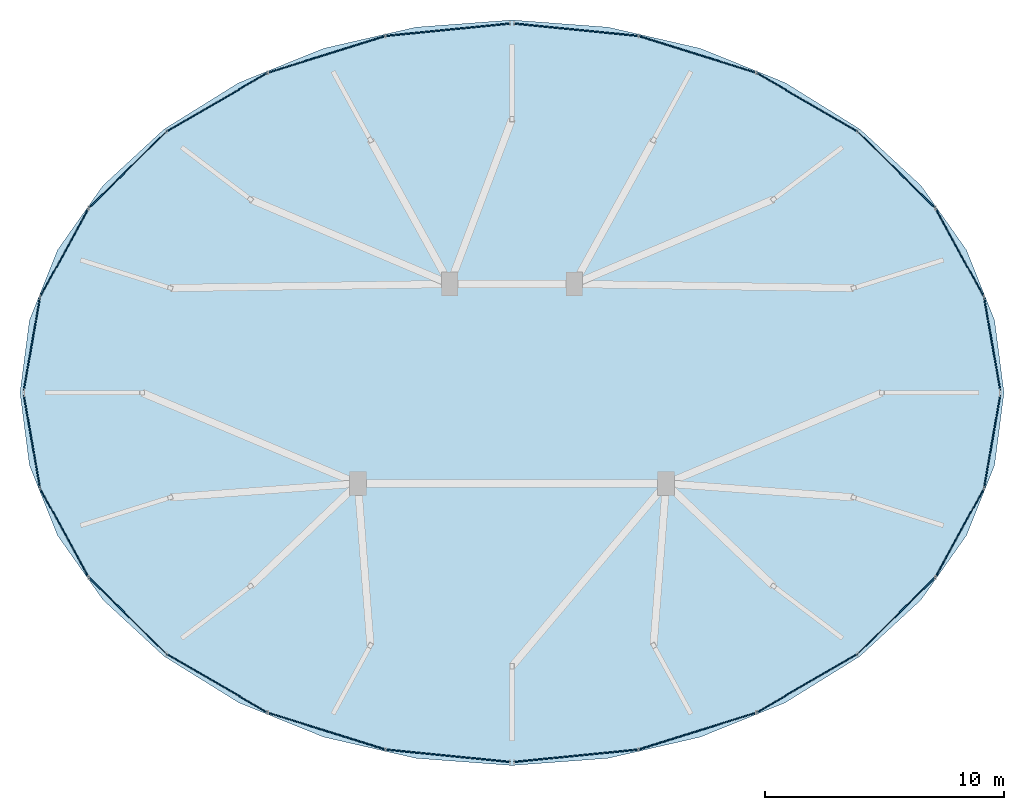
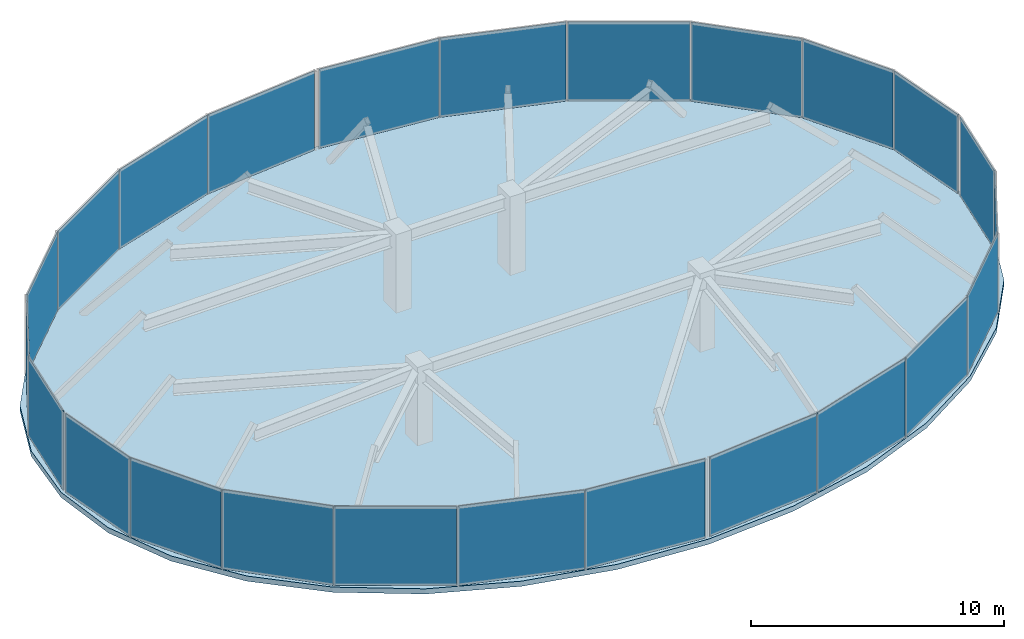
# One storey, part 14 of 14: 24 plates, 1 slab, 4 elements without a shape of their own.
"""IFC4 building model written with IfcOpenShell, lengths in metres."""

from ifc_helpers import new_model, si_unit, direction, frame, origin, origin_2d, place, context, subcontext, project, spatial, polyline, rectangle, outline, extrude, material, layer, layer_set, type_object, element, aggregate, save


model = new_model("IFC4")

# Units and contexts
model_context = context("Model", 3, precision=1e-05, world=origin(), true_north=direction((0.0, 1.0)))
body_context = subcontext(model_context, "Body", "Model", "MODEL_VIEW")
ifc_project = project(units=[si_unit("LENGTHUNIT", "METRE"), si_unit("AREAUNIT", "SQUARE_METRE"), si_unit("VOLUMEUNIT", "CUBIC_METRE"), si_unit("PLANEANGLEUNIT", "RADIAN"), si_unit("MASSUNIT", "GRAM", prefix="KILO")], contexts=[model_context])

# Site, building, storey
site_placement = place(None, origin())
site = spatial("IfcSite", under=ifc_project, at=site_placement, CompositionType="ELEMENT")
building_placement = place(site_placement, origin())
building = spatial("IfcBuilding", under=site, at=building_placement, Name="Vorneva Point Tower", CompositionType="ELEMENT")
storey_placement = place(building_placement, frame((0.0, 0.0, 299.199951171875)))
storey = spatial("IfcBuildingStorey", under=building, at=storey_placement, Name="C02", CompositionType="ELEMENT", Elevation=299.199951171875)

# Curtain wall, plates
ifc_material_1 = material(Name="Pale anodised aluminium", Category="aluminium")
curtain_wall_type = type_object("IfcCurtainWallType", Name="CW-CRN-SYS", PredefinedType="NOTDEFINED", material=ifc_material_1)
curtain_wall_1_placement = place(storey_placement, origin())
curtain_wall_1 = element("IfcCurtainWall", 1, at=curtain_wall_1_placement, inside=storey, type_object=curtain_wall_type, Name="C02 Unitised Curtain Wall CW-C02-Q1", PredefinedType="NOTDEFINED")
ifc_material_2 = material(Name="Triple-laminated clear crown glass", Category="glass")
ifc_layer_1 = layer(ifc_material_2, 0.0419921875)
ifc_layer_set_1 = layer_set([ifc_layer_1], Name="Triple-laminated clear crown glass")
plate_type = type_object("IfcPlateType", Name="CW-PNL-CRN", PredefinedType="CURTAIN_PANEL", material=ifc_layer_set_1)
plate_1_placement = place(storey_placement, frame((58.0966796875, 28.0400390625, -0.02001953125), z_axis=(0.0, 0.0, 1.0), x_axis=(-0.171585221787, 0.985169280715, 0.0)))
plate_1 = element("IfcPlate", 2, at=plate_1_placement, type_object=plate_type, Name="CW-C02-Q1 Glazed Panel 01", PredefinedType="CURTAIN_PANEL", context=body_context, shape_type="SweptSolid", body=[
    extrude(rectangle(XDim=3.931640625, YDim=0.0419921875, at=origin_2d()), origin(), (0.0, 0.0, 1.0), 3.840087890625),
])
plate_2_placement = place(storey_placement, frame((56.733642578125, 31.865478515625, -0.02001953125), z_axis=(0.0, 0.0, 1.0), x_axis=(-0.480529649952, 0.876978480647, 0.0)))
plate_2 = element("IfcPlate", 3, at=plate_2_placement, type_object=plate_type, Name="CW-C02-Q1 Glazed Panel 02", PredefinedType="CURTAIN_PANEL", context=body_context, shape_type="SweptSolid", body=[
    extrude(rectangle(XDim=4.201904296875, YDim=0.0419921875, at=origin_2d()), origin(), (0.0, 0.0, 1.0), 3.840087890625),
])
plate_3_placement = place(storey_placement, frame((54.0869140625, 35.3310546875, -0.02001953125), z_axis=(0.0, 0.0, 1.0), x_axis=(-0.71239359485, 0.701780140797, 0.0)))
plate_3 = element("IfcPlate", 4, at=plate_3_placement, type_object=plate_type, Name="CW-C02-Q1 Glazed Panel 03", PredefinedType="CURTAIN_PANEL", context=body_context, shape_type="SweptSolid", body=[
    extrude(rectangle(XDim=4.512451171875, YDim=0.0419921875, at=origin_2d()), origin(), (0.0, 0.0, 1.0), 3.840087890625),
])
plate_4_placement = place(storey_placement, frame((50.343994140625, 38.160400390625, -0.02001953125), z_axis=(0.0, 0.0, 1.0), x_axis=(-0.865011338621, 0.501752313455, 0.0)))
plate_4 = element("IfcPlate", 5, at=plate_4_placement, type_object=plate_type, Name="CW-C02-Q1 Glazed Panel 04", PredefinedType="CURTAIN_PANEL", context=body_context, shape_type="SweptSolid", body=[
    extrude(rectangle(XDim=4.8466796875, YDim=0.0419921875, at=origin_2d()), origin(), (0.0, 0.0, 1.0), 3.840087890625),
])
plate_5_placement = place(storey_placement, frame((45.759765625, 40.160888671875, -0.02001953125), z_axis=(0.0, 0.0, 1.0), x_axis=(-0.95431858451, 0.298790962477, 0.0)))
plate_5 = element("IfcPlate", 6, at=plate_5_placement, type_object=plate_type, Name="CW-C02-Q1 Glazed Panel 05", PredefinedType="CURTAIN_PANEL", context=body_context, shape_type="SweptSolid", body=[
    extrude(rectangle(XDim=5.11865234375, YDim=0.0419921875, at=origin_2d()), origin(), (0.0, 0.0, 1.0), 3.840087890625),
])
plate_6_placement = place(storey_placement, frame((40.6865234375, 41.192626953125, -0.02001953125), z_axis=(0.0, 0.0, 1.0), x_axis=(-0.995083266469, 0.09904187394, 0.0)))
plate_6 = element("IfcPlate", 7, at=plate_6_placement, type_object=plate_type, Name="CW-C02-Q1 Glazed Panel 06", PredefinedType="CURTAIN_PANEL", context=body_context, shape_type="SweptSolid", body=[
    extrude(rectangle(XDim=5.189697265625, YDim=0.0419921875, at=origin_2d()), origin(), (0.0, 0.0, 1.0), 3.840087890625),
])
aggregate(curtain_wall_1, [plate_1, plate_2, plate_3, plate_4, plate_5, plate_6])

curtain_wall_2_placement = place(storey_placement, origin())
curtain_wall_2 = element("IfcCurtainWall", 8, at=curtain_wall_2_placement, inside=storey, type_object=curtain_wall_type, Name="C02 Unitised Curtain Wall CW-C02-Q2", PredefinedType="NOTDEFINED")
plate_7_placement = place(storey_placement, frame((35.3134765625, 41.192626953125, -0.02001953125), z_axis=(0.0, 0.0, 1.0), x_axis=(-0.995083266469, -0.09904187394, 0.0)))
plate_7 = element("IfcPlate", 9, at=plate_7_placement, type_object=plate_type, Name="CW-C02-Q2 Glazed Panel 01", PredefinedType="CURTAIN_PANEL", context=body_context, shape_type="SweptSolid", body=[
    extrude(rectangle(XDim=5.189697265625, YDim=0.0419921875, at=origin_2d()), origin(), (0.0, 0.0, 1.0), 3.840087890625),
])
plate_8_placement = place(storey_placement, frame((30.240234375, 40.160888671875, -0.02001953125), z_axis=(0.0, 0.0, 1.0), x_axis=(-0.95431858451, -0.298790962477, 0.0)))
plate_8 = element("IfcPlate", 10, at=plate_8_placement, type_object=plate_type, Name="CW-C02-Q2 Glazed Panel 02", PredefinedType="CURTAIN_PANEL", context=body_context, shape_type="SweptSolid", body=[
    extrude(rectangle(XDim=5.11865234375, YDim=0.0419921875, at=origin_2d()), origin(), (0.0, 0.0, 1.0), 3.840087890625),
])
plate_9_placement = place(storey_placement, frame((25.65625, 38.160400390625, -0.02001953125), z_axis=(0.0, 0.0, 1.0), x_axis=(-0.865011338621, -0.501752313455, 0.0)))
plate_9 = element("IfcPlate", 11, at=plate_9_placement, type_object=plate_type, Name="CW-C02-Q2 Glazed Panel 03", PredefinedType="CURTAIN_PANEL", context=body_context, shape_type="SweptSolid", body=[
    extrude(rectangle(XDim=4.8466796875, YDim=0.0419921875, at=origin_2d()), origin(), (0.0, 0.0, 1.0), 3.840087890625),
])
plate_10_placement = place(storey_placement, frame((21.9130859375, 35.3310546875, -0.02001953125), z_axis=(0.0, 0.0, 1.0), x_axis=(-0.71239359485, -0.701780140797, 0.0)))
plate_10 = element("IfcPlate", 12, at=plate_10_placement, type_object=plate_type, Name="CW-C02-Q2 Glazed Panel 04", PredefinedType="CURTAIN_PANEL", context=body_context, shape_type="SweptSolid", body=[
    extrude(rectangle(XDim=4.512451171875, YDim=0.0419921875, at=origin_2d()), origin(), (0.0, 0.0, 1.0), 3.840087890625),
])
plate_11_placement = place(storey_placement, frame((19.266357421875, 31.865478515625, -0.02001953125), z_axis=(0.0, 0.0, 1.0), x_axis=(-0.480529649952, -0.876978480647, 0.0)))
plate_11 = element("IfcPlate", 13, at=plate_11_placement, type_object=plate_type, Name="CW-C02-Q2 Glazed Panel 05", PredefinedType="CURTAIN_PANEL", context=body_context, shape_type="SweptSolid", body=[
    extrude(rectangle(XDim=4.201904296875, YDim=0.0419921875, at=origin_2d()), origin(), (0.0, 0.0, 1.0), 3.840087890625),
])
plate_12_placement = place(storey_placement, frame((17.9033203125, 28.0400390625, -0.02001953125), z_axis=(0.0, 0.0, 1.0), x_axis=(-0.171585221787, -0.985169280715, 0.0)))
plate_12 = element("IfcPlate", 14, at=plate_12_placement, type_object=plate_type, Name="CW-C02-Q2 Glazed Panel 06", PredefinedType="CURTAIN_PANEL", context=body_context, shape_type="SweptSolid", body=[
    extrude(rectangle(XDim=3.931640625, YDim=0.0419921875, at=origin_2d()), origin(), (0.0, 0.0, 1.0), 3.840087890625),
])
aggregate(curtain_wall_2, [plate_7, plate_8, plate_9, plate_10, plate_11, plate_12])

curtain_wall_3_placement = place(storey_placement, origin())
curtain_wall_3 = element("IfcCurtainWall", 15, at=curtain_wall_3_placement, inside=storey, type_object=curtain_wall_type, Name="C02 Unitised Curtain Wall CW-C02-Q3", PredefinedType="NOTDEFINED")
plate_13_placement = place(storey_placement, frame((17.9033203125, 23.9599609375, -0.02001953125), z_axis=(0.0, 0.0, 1.0), x_axis=(0.171585221787, -0.985169280715, 0.0)))
plate_13 = element("IfcPlate", 16, at=plate_13_placement, type_object=plate_type, Name="CW-C02-Q3 Glazed Panel 01", PredefinedType="CURTAIN_PANEL", context=body_context, shape_type="SweptSolid", body=[
    extrude(rectangle(XDim=3.931640625, YDim=0.0419921875, at=origin_2d()), origin(), (0.0, 0.0, 1.0), 3.840087890625),
])
plate_14_placement = place(storey_placement, frame((19.266357421875, 20.13427734375, -0.02001953125), z_axis=(0.0, 0.0, 1.0), x_axis=(0.480529649952, -0.876978480647, 0.0)))
plate_14 = element("IfcPlate", 17, at=plate_14_placement, type_object=plate_type, Name="CW-C02-Q3 Glazed Panel 02", PredefinedType="CURTAIN_PANEL", context=body_context, shape_type="SweptSolid", body=[
    extrude(rectangle(XDim=4.201904296875, YDim=0.0419921875, at=origin_2d()), origin(), (0.0, 0.0, 1.0), 3.840087890625),
])
plate_15_placement = place(storey_placement, frame((21.9130859375, 16.6689453125, -0.02001953125), z_axis=(0.0, 0.0, 1.0), x_axis=(0.71239359485, -0.701780140797, 0.0)))
plate_15 = element("IfcPlate", 18, at=plate_15_placement, type_object=plate_type, Name="CW-C02-Q3 Glazed Panel 03", PredefinedType="CURTAIN_PANEL", context=body_context, shape_type="SweptSolid", body=[
    extrude(rectangle(XDim=4.512451171875, YDim=0.0419921875, at=origin_2d()), origin(), (0.0, 0.0, 1.0), 3.840087890625),
])
plate_16_placement = place(storey_placement, frame((25.65625, 13.839599609375, -0.02001953125), z_axis=(0.0, 0.0, 1.0), x_axis=(0.865011338621, -0.501752313455, 0.0)))
plate_16 = element("IfcPlate", 19, at=plate_16_placement, type_object=plate_type, Name="CW-C02-Q3 Glazed Panel 04", PredefinedType="CURTAIN_PANEL", context=body_context, shape_type="SweptSolid", body=[
    extrude(rectangle(XDim=4.8466796875, YDim=0.0419921875, at=origin_2d()), origin(), (0.0, 0.0, 1.0), 3.840087890625),
])
plate_17_placement = place(storey_placement, frame((30.240234375, 11.839111328125, -0.02001953125), z_axis=(0.0, 0.0, 1.0), x_axis=(0.95431858451, -0.298790962477, 0.0)))
plate_17 = element("IfcPlate", 20, at=plate_17_placement, type_object=plate_type, Name="CW-C02-Q3 Glazed Panel 05", PredefinedType="CURTAIN_PANEL", context=body_context, shape_type="SweptSolid", body=[
    extrude(rectangle(XDim=5.11865234375, YDim=0.0419921875, at=origin_2d()), origin(), (0.0, 0.0, 1.0), 3.840087890625),
])
plate_18_placement = place(storey_placement, frame((35.3134765625, 10.807373046875, -0.02001953125), z_axis=(0.0, 0.0, 1.0), x_axis=(0.995083266469, -0.09904187394, 0.0)))
plate_18 = element("IfcPlate", 21, at=plate_18_placement, type_object=plate_type, Name="CW-C02-Q3 Glazed Panel 06", PredefinedType="CURTAIN_PANEL", context=body_context, shape_type="SweptSolid", body=[
    extrude(rectangle(XDim=5.189697265625, YDim=0.0419921875, at=origin_2d()), origin(), (0.0, 0.0, 1.0), 3.840087890625),
])
aggregate(curtain_wall_3, [plate_13, plate_14, plate_15, plate_16, plate_17, plate_18])

curtain_wall_4_placement = place(storey_placement, origin())
curtain_wall_4 = element("IfcCurtainWall", 22, at=curtain_wall_4_placement, inside=storey, type_object=curtain_wall_type, Name="C02 Unitised Curtain Wall CW-C02-Q4", PredefinedType="NOTDEFINED")
plate_19_placement = place(storey_placement, frame((40.6865234375, 10.807373046875, -0.02001953125), z_axis=(0.0, 0.0, 1.0), x_axis=(0.995083266469, 0.09904187394, 0.0)))
plate_19 = element("IfcPlate", 23, at=plate_19_placement, type_object=plate_type, Name="CW-C02-Q4 Glazed Panel 01", PredefinedType="CURTAIN_PANEL", context=body_context, shape_type="SweptSolid", body=[
    extrude(rectangle(XDim=5.189697265625, YDim=0.0419921875, at=origin_2d()), origin(), (0.0, 0.0, 1.0), 3.840087890625),
])
plate_20_placement = place(storey_placement, frame((45.759765625, 11.839111328125, -0.02001953125), z_axis=(0.0, 0.0, 1.0), x_axis=(0.95431858451, 0.298790962477, 0.0)))
plate_20 = element("IfcPlate", 24, at=plate_20_placement, type_object=plate_type, Name="CW-C02-Q4 Glazed Panel 02", PredefinedType="CURTAIN_PANEL", context=body_context, shape_type="SweptSolid", body=[
    extrude(rectangle(XDim=5.11865234375, YDim=0.0419921875, at=origin_2d()), origin(), (0.0, 0.0, 1.0), 3.840087890625),
])
plate_21_placement = place(storey_placement, frame((50.343994140625, 13.839599609375, -0.02001953125), z_axis=(0.0, 0.0, 1.0), x_axis=(0.865011338621, 0.501752313455, 0.0)))
plate_21 = element("IfcPlate", 25, at=plate_21_placement, type_object=plate_type, Name="CW-C02-Q4 Glazed Panel 03", PredefinedType="CURTAIN_PANEL", context=body_context, shape_type="SweptSolid", body=[
    extrude(rectangle(XDim=4.8466796875, YDim=0.0419921875, at=origin_2d()), origin(), (0.0, 0.0, 1.0), 3.840087890625),
])
plate_22_placement = place(storey_placement, frame((54.0869140625, 16.6689453125, -0.02001953125), z_axis=(0.0, 0.0, 1.0), x_axis=(0.71239359485, 0.701780140797, 0.0)))
plate_22 = element("IfcPlate", 26, at=plate_22_placement, type_object=plate_type, Name="CW-C02-Q4 Glazed Panel 04", PredefinedType="CURTAIN_PANEL", context=body_context, shape_type="SweptSolid", body=[
    extrude(rectangle(XDim=4.512451171875, YDim=0.0419921875, at=origin_2d()), origin(), (0.0, 0.0, 1.0), 3.840087890625),
])
plate_23_placement = place(storey_placement, frame((56.733642578125, 20.13427734375, -0.02001953125), z_axis=(0.0, 0.0, 1.0), x_axis=(0.480529649952, 0.876978480647, 0.0)))
plate_23 = element("IfcPlate", 27, at=plate_23_placement, type_object=plate_type, Name="CW-C02-Q4 Glazed Panel 05", PredefinedType="CURTAIN_PANEL", context=body_context, shape_type="SweptSolid", body=[
    extrude(rectangle(XDim=4.201904296875, YDim=0.0419921875, at=origin_2d()), origin(), (0.0, 0.0, 1.0), 3.840087890625),
])
plate_24_placement = place(storey_placement, frame((58.0966796875, 23.9599609375, -0.02001953125), z_axis=(0.0, 0.0, 1.0), x_axis=(0.171585221787, 0.985169280715, 0.0)))
plate_24 = element("IfcPlate", 28, at=plate_24_placement, type_object=plate_type, Name="CW-C02-Q4 Glazed Panel 06", PredefinedType="CURTAIN_PANEL", context=body_context, shape_type="SweptSolid", body=[
    extrude(rectangle(XDim=3.931640625, YDim=0.0419921875, at=origin_2d()), origin(), (0.0, 0.0, 1.0), 3.840087890625),
])
aggregate(curtain_wall_4, [plate_19, plate_20, plate_21, plate_22, plate_23, plate_24])

# Slab
ifc_material_3 = material(Name="Concrete B50 (C40/50)", Category="concrete")
ifc_layer_2 = layer(ifc_material_3, 0.25)
ifc_layer_set_2 = layer_set([ifc_layer_2], Name="Concrete B50 (C40/50)")
slab_type = type_object("IfcSlabType", Name="SLB-ROOF-250", PredefinedType="ROOF", material=ifc_layer_set_2)
slab_placement = place(storey_placement, frame((0.0, 0.0, -0.25)))
element("IfcSlab", 29, at=slab_placement, inside=storey, type_object=slab_type, Name="C02 Crown Structural Roof Ring Slab", PredefinedType="ROOF", context=body_context, shape_type="SweptSolid", body=[
    extrude(outline(polyline([(58.592041015625, 26.0), (58.1962890625, 29.04345703125), (57.0244140625, 31.969970703125), (55.12158203125, 34.6669921875), (52.560791015625, 37.031005859375), (49.440185546875, 38.970947265625), (45.880126953125, 40.41259765625), (42.017333984375, 41.30029296875), (38.0, 41.60009765625), (33.982666015625, 41.30029296875), (30.119873046875, 40.41259765625), (26.559814453125, 38.970947265625), (23.439208984375, 37.031005859375), (20.87841796875, 34.6669921875), (18.9755859375, 31.969970703125), (17.8037109375, 29.04345703125), (17.407958984375, 26.0), (17.8037109375, 22.95654296875), (18.9755859375, 20.030029296875), (20.87841796875, 17.3330078125), (23.439208984375, 14.968994140625), (26.559814453125, 13.029052734375), (30.119873046875, 11.58740234375), (33.982666015625, 10.69970703125), (38.0, 10.39990234375), (42.017333984375, 10.69970703125), (45.880126953125, 11.58740234375), (49.440185546875, 13.029052734375), (52.560791015625, 14.968994140625), (55.12158203125, 17.3330078125), (57.0244140625, 20.030029296875), (58.1962890625, 22.95654296875), (58.592041015625, 26.0)])), origin(), (0.0, 0.0, 1.0), 0.25),
])

save(model, "model.ifc")
